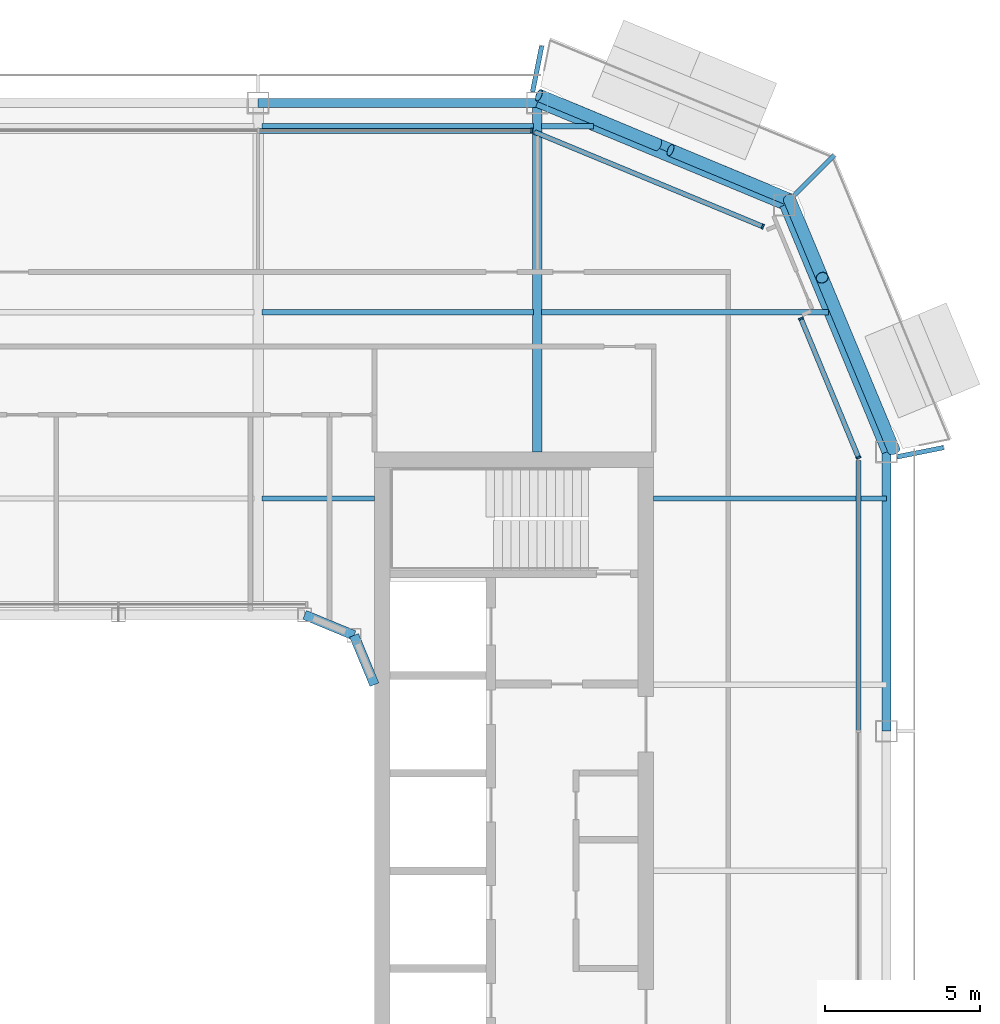
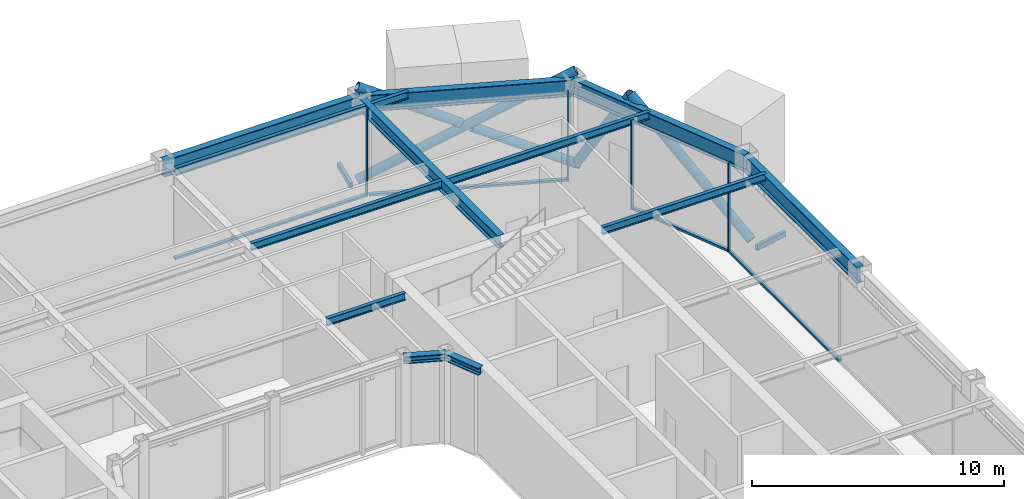
# One storey, part 9 of 21: 16 beams, 13 members, 4 elements without a shape of their own.
"""IFC4 building model written with IfcOpenShell, lengths in metres."""

import ifcopenshell
import ifcopenshell.guid

model = None  # the IFC model being written
_history = None  # IfcOwnerHistory: only IFC2X3 demands one
_inside = {}  # id of a spatial element -> (the spatial element, [elements in it])
_under = {}  # id of a project, library or spatial element -> (it, [spatial elements below it])
_declared = {}  # id of a project -> (the project, [libraries it declares])
_typed = {}  # id of a type object -> (the type object, [elements of that type])
_made_of = {}  # id of a material, layer set ... -> (it, [elements and type objects made of it])


def new_model(schema):
    """Start an empty IFC model of exactly this schema.

    Asked for "IFC4X3", IfcOpenShell would pick the latest addendum, in which some entities
    have other attributes; the version numbers below select the first issue.
    IFC2X3 requires an IfcOwnerHistory on every rooted entity: one is made here for all.
    """
    global model, _history
    if schema == "IFC4X3":
        model = ifcopenshell.file(schema_version=(4, 3, 0, 0))
    else:
        model = ifcopenshell.file(schema=schema)
    _inside.clear()
    _under.clear()
    _declared.clear()
    _typed.clear()
    _made_of.clear()
    _history = None
    if model.schema == "IFC2X3":
        org = make("IfcOrganization", Name="unknown")
        user = make(
            "IfcPersonAndOrganization",
            ThePerson=make("IfcPerson", FamilyName="unknown"),
            TheOrganization=org,
        )
        app = make(
            "IfcApplication",
            ApplicationDeveloper=org,
            Version="unknown",
            ApplicationFullName="unknown",
            ApplicationIdentifier="unknown",
        )
        _history = make(
            "IfcOwnerHistory",
            OwningUser=user,
            OwningApplication=app,
            ChangeAction="ADDED",
            CreationDate=0,
        )
    return model


def make(cls, **values):
    """One entity of the class cls with the attributes given. An attribute that is None is left unset."""
    return model.create_entity(
        cls, **{name: value for name, value in values.items() if value is not None}
    )


def rooted(cls, **values):
    """An entity with a GlobalId (a new one), such as an element, a storey or a relation."""
    return make(cls, GlobalId=ifcopenshell.guid.new(), OwnerHistory=_history, **values)


def si_unit(unit_type, name, prefix=None):
    """IfcSIUnit, for example si_unit("LENGTHUNIT", "METRE", prefix="MILLI")."""
    return make("IfcSIUnit", UnitType=unit_type, Prefix=prefix, Name=name)


def assignment(units):
    """IfcUnitAssignment: the units of a project."""
    return None if units is None else make("IfcUnitAssignment", Units=units)


def point(xyz):
    """IfcCartesianPoint."""
    return None if xyz is None else make("IfcCartesianPoint", Coordinates=xyz)


def direction(xyz):
    """IfcDirection."""
    return None if xyz is None else make("IfcDirection", DirectionRatios=xyz)


def frame(location, z_axis=None, x_axis=None):
    """IfcAxis2Placement3D, a coordinate frame: its origin and axes. An axis left out is left unset."""
    return make(
        "IfcAxis2Placement3D",
        Location=point(location),
        Axis=direction(z_axis),
        RefDirection=direction(x_axis),
    )


def frame_2d(location, x_axis=None):
    """IfcAxis2Placement2D, a coordinate frame in the plane: its origin and x axis."""
    return make(
        "IfcAxis2Placement2D", Location=point(location), RefDirection=direction(x_axis)
    )


def origin():
    """The frame at (0, 0, 0) with its axes left unset."""
    return frame((0.0, 0.0, 0.0))


def origin_2d():
    """The frame at (0, 0) in the plane with its x axis left unset."""
    return frame_2d((0.0, 0.0))


def place(relative_to, where):
    """IfcLocalPlacement: puts the frame where relative to a parent placement (None: the world)."""
    return make(
        "IfcLocalPlacement", PlacementRelTo=relative_to, RelativePlacement=where
    )


def context(
    kind, dimensions, precision=None, world=None, true_north=None, identifier=None
):
    """IfcGeometricRepresentationContext, for example the 3D "Model" context."""
    return make(
        "IfcGeometricRepresentationContext",
        ContextIdentifier=identifier,
        ContextType=kind,
        CoordinateSpaceDimension=dimensions,
        Precision=precision,
        WorldCoordinateSystem=world,
        TrueNorth=true_north,
    )


def subcontext(parent, identifier, kind, view, scale=None):
    """IfcGeometricRepresentationSubContext, for example "Body" below "Model"."""
    return make(
        "IfcGeometricRepresentationSubContext",
        ContextIdentifier=identifier,
        ContextType=kind,
        ParentContext=parent,
        TargetScale=scale,
        TargetView=view,
    )


def project(units=None, contexts=None):
    """IfcProject with its units and contexts."""
    return rooted(
        "IfcProject",
        Name="project",
        RepresentationContexts=contexts,
        UnitsInContext=assignment(units),
    )


def spatial(cls, under=None, at=None, **own):
    """A site, building, storey or space (cls), placed at a placement, below another one or the project."""
    s = rooted(cls, ObjectPlacement=at, **own)
    if under is not None:
        _under.setdefault(under.id(), (under, []))[1].append(s)
    return s


def profile(cls, at=None, kind="AREA", **sizes):
    """A parametric profile (cls). Its sizes go by their IFC names, for example OverallWidth=200.0."""
    return make(cls, ProfileType=kind, Position=at, **sizes)


def rectangle(**sizes):
    """IfcRectangleProfileDef."""
    return profile("IfcRectangleProfileDef", **sizes)


def hollow_rectangle(**sizes):
    """IfcRectangleHollowProfileDef."""
    return profile("IfcRectangleHollowProfileDef", **sizes)


def hollow_circle(**sizes):
    """IfcCircleHollowProfileDef."""
    return profile("IfcCircleHollowProfileDef", **sizes)


def i_section(**sizes):
    """IfcIShapeProfileDef."""
    return profile("IfcIShapeProfileDef", **sizes)


def extrude(swept, where, along, depth):
    """IfcExtrudedAreaSolid: the profile swept, set in the frame where, extruded along a direction by depth."""
    return make(
        "IfcExtrudedAreaSolid",
        SweptArea=swept,
        Position=where,
        ExtrudedDirection=direction(along),
        Depth=depth,
    )


def shape(context_of_items, identifier, shape_type, items):
    """IfcShapeRepresentation: the items that make up one representation, for example the "Body"."""
    return make(
        "IfcShapeRepresentation",
        ContextOfItems=context_of_items,
        RepresentationIdentifier=identifier,
        RepresentationType=shape_type,
        Items=items,
    )


def material(Name=None, Category=None):
    """IfcMaterial."""
    return make("IfcMaterial", Name=Name, Category=Category)


def layer(
    of_material, thickness, ventilated=None, Name=None, Category=None, Priority=None
):
    """IfcMaterialLayer: one layer of a wall or slab, of a material (None: an air gap)."""
    return make(
        "IfcMaterialLayer",
        Material=of_material,
        LayerThickness=thickness,
        IsVentilated=ventilated,
        Name=Name,
        Category=Category,
        Priority=Priority,
    )


def layer_set(layers, Name=None):
    """IfcMaterialLayerSet."""
    return make("IfcMaterialLayerSet", MaterialLayers=layers, LayerSetName=Name)


def material_profile(
    of_material, cross_section, Name=None, Category=None, Priority=None
):
    """IfcMaterialProfile: a cross section and its material."""
    return make(
        "IfcMaterialProfile",
        Name=Name,
        Material=of_material,
        Profile=cross_section,
        Priority=Priority,
        Category=Category,
    )


def profile_set(profiles, Name=None, composite=None):
    """IfcMaterialProfileSet."""
    return make(
        "IfcMaterialProfileSet",
        Name=Name,
        MaterialProfiles=profiles,
        CompositeProfile=composite,
    )


def made_of(thing, what):
    """Note that an element or type object is made of a material, layer set ...; save() writes the relation."""
    if what is not None:
        _made_of.setdefault(what.id(), (what, []))[1].append(thing)
    return thing


def type_object(cls, material=None, **own):
    """A type object (cls), such as IfcWallType, which elements share."""
    return made_of(rooted(cls, **own), material)


def element(
    cls,
    number,
    at=None,
    inside=None,
    cuts=None,
    type_object=None,
    material=None,
    context=None,
    identifier="Body",
    shape_type=None,
    held_by="IfcProductDefinitionShape",
    body=None,
    shapes=None,
    **own,
):
    """One element of the class cls, such as IfcWall. Its Tag is "e" and its number.

    at: its placement. inside: the storey or other place that contains it. cuts: it is an
    opening in that element (IfcRelVoidsElement). A single representation is given by context,
    identifier, shape_type and body (its items); several are given by shapes. held_by: the class
    of the entity that holds the representations. save() writes the other relations.
    """
    e = rooted(cls, Tag="e%d" % number, ObjectPlacement=at, **own)
    if body is not None:
        shapes = [shape(context, identifier, shape_type, body)]
    if shapes is not None:
        e.Representation = make(held_by, Representations=shapes)
    if inside is not None:
        _inside.setdefault(inside.id(), (inside, []))[1].append(e)
    if cuts is not None:
        rooted(
            "IfcRelVoidsElement", RelatingBuildingElement=cuts, RelatedOpeningElement=e
        )
    if type_object is not None:
        _typed.setdefault(type_object.id(), (type_object, []))[1].append(e)
    return made_of(e, material)


def aggregate(whole, parts):
    """IfcRelAggregates: a whole, such as a stair, and the parts it consists of."""
    return rooted("IfcRelAggregates", RelatingObject=whole, RelatedObjects=parts)


def save(model, path):
    """Write the relations noted so far, then the file.

    IfcRelAggregates (storeys below a building ...), IfcRelContainedInSpatialStructure (elements
    in a storey), IfcRelDefinesByType, IfcRelAssociatesMaterial and IfcRelDeclares: one each for
    every whole, place, type object, material and project.
    """
    for whole, parts in _under.values():
        aggregate(whole, parts)
    for where, things in _inside.values():
        rooted(
            "IfcRelContainedInSpatialStructure",
            RelatedElements=things,
            RelatingStructure=where,
        )
    for kind, things in _typed.values():
        rooted("IfcRelDefinesByType", RelatedObjects=things, RelatingType=kind)
    for what, things in _made_of.values():
        rooted("IfcRelAssociatesMaterial", RelatedObjects=things, RelatingMaterial=what)
    for by, libraries in _declared.values():
        rooted("IfcRelDeclares", RelatingContext=by, RelatedDefinitions=libraries)
    model.write(path)


model = new_model("IFC4")

# Units and contexts
model_context = context("Model", 3, precision=1e-05, world=origin(), true_north=direction((0.0, 1.0)))
body_context = subcontext(model_context, "Body", "Model", "MODEL_VIEW")
ifc_project = project(units=[si_unit("LENGTHUNIT", "METRE"), si_unit("AREAUNIT", "SQUARE_METRE"), si_unit("VOLUMEUNIT", "CUBIC_METRE"), si_unit("PLANEANGLEUNIT", "RADIAN"), si_unit("MASSUNIT", "GRAM", prefix="KILO")], contexts=[model_context])

# Site, building, storey
site_placement = place(None, origin())
site = spatial("IfcSite", under=ifc_project, at=site_placement, CompositionType="ELEMENT")
building_placement = place(site_placement, origin())
building = spatial("IfcBuilding", under=site, at=building_placement, Name="Siwar Civic Tower", CompositionType="ELEMENT")
storey_placement = place(building_placement, frame((0.0, 0.0, 343.699951171875)))
storey = spatial("IfcBuildingStorey", under=building, at=storey_placement, Name="L74", CompositionType="ELEMENT", Elevation=343.699951171875)

# Beams
ifc_material_1 = material(Name="Steel S355", Category="steel")
ifc_material_profile_1 = material_profile(ifc_material_1, hollow_rectangle(XDim=0.14990234375, YDim=0.25, WallThickness=0.010009765625, at=origin_2d()), Name="RHS250x150x10")
ifc_profile_set_1 = profile_set([ifc_material_profile_1], Name="Steel S355")
beam_type_1 = type_object("IfcBeamType", Name="ENV-BALCONY ARM", PredefinedType="BEAM", material=ifc_profile_set_1)
beam_1_placement = place(storey_placement, frame((25.10009765625, 13.34521484375, -0.27490234375), z_axis=(0.980778646446, 0.195123670207, 0.0), x_axis=(-0.195123670207, 0.980778646446, 0.0)))
element("IfcBeam", 1, at=beam_1_placement, inside=storey, type_object=beam_type_1, Name="Balcony cantilever beam NE 1", PredefinedType="BEAM", context=body_context, shape_type="SweptSolid", body=[
    extrude(hollow_rectangle(XDim=0.14990234375, YDim=0.25, WallThickness=0.010009765625, at=origin_2d()), origin(), (0.0, 0.0, 1.0), 1.513916015625),
])
beam_2_placement = place(storey_placement, frame((21.76953125, 21.76953125, -0.27490234375), z_axis=(0.707106781187, 0.707106781187, 0.0), x_axis=(-0.707106781187, 0.707106781187, 0.0)))
element("IfcBeam", 2, at=beam_2_placement, inside=storey, type_object=beam_type_1, Name="Balcony cantilever beam NE 2", PredefinedType="BEAM", context=body_context, shape_type="SweptSolid", body=[
    extrude(hollow_rectangle(XDim=0.14990234375, YDim=0.25, WallThickness=0.010009765625, at=origin_2d()), origin(), (0.0, 0.0, 1.0), 1.828125),
])
beam_3_placement = place(storey_placement, frame((13.34521484375, 25.10009765625, -0.27490234375), z_axis=(0.195123670207, 0.980778646446, 0.0), x_axis=(-0.980778646446, 0.195123670207, 0.0)))
element("IfcBeam", 3, at=beam_3_placement, inside=storey, type_object=beam_type_1, Name="Balcony cantilever beam NE 3", PredefinedType="BEAM", context=body_context, shape_type="SweptSolid", body=[
    extrude(hollow_rectangle(XDim=0.14990234375, YDim=0.25, WallThickness=0.010009765625, at=origin_2d()), origin(), (0.0, 0.0, 1.0), 1.513916015625),
])

# Curtain wall, members
ifc_material_2 = material(Name="Aluminium clad insulated panel", Category="aluminium")
ifc_layer_1 = layer(ifc_material_2, 0.159912109375)
ifc_layer_set_1 = layer_set([ifc_layer_1], Name="Aluminium clad insulated panel")
curtain_wall_type_1 = type_object("IfcCurtainWallType", Name="ENV-CW-DX", PredefinedType="NOTDEFINED", material=ifc_layer_set_1)
curtain_wall_1_placement = place(storey_placement, origin())
curtain_wall_1 = element("IfcCurtainWall", 4, at=curtain_wall_1_placement, inside=storey, type_object=curtain_wall_type_1, Name="Curtain wall D NE1", PredefinedType="NOTDEFINED")
ifc_material_3 = material(Name="Aluminium 6063-T6", Category="aluminium")
ifc_material_profile_2 = material_profile(ifc_material_3, rectangle(XDim=0.159912109375, YDim=0.06005859375, at=origin_2d()), Name="AL 160x60")
ifc_profile_set_2 = profile_set([ifc_material_profile_2], Name="Aluminium 6063-T6")
member_type_1 = type_object("IfcMemberType", Name="ENV-MULLION-D", PredefinedType="MULLION", material=ifc_profile_set_2)
member_1_placement = place(storey_placement, frame((23.85009765625, 13.321044921875, 0.0), z_axis=(0.0, 0.0, 1.0), x_axis=(-0.923879532511, -0.382683432365, 0.0)))
member_1 = element("IfcMember", 5, at=member_1_placement, type_object=member_type_1, Name="Mullion D NE1 1", PredefinedType="MULLION", context=body_context, shape_type="SweptSolid", body=[
    extrude(rectangle(XDim=0.159912109375, YDim=0.06005859375, at=origin_2d()), origin(), (0.0, 0.0, 1.0), 4.300048828125),
])
member_2_placement = place(storey_placement, frame((21.9951171875, 17.799072265625, 0.0), z_axis=(0.0, 0.0, 1.0), x_axis=(-0.923879532511, -0.382683432365, 0.0)))
member_2 = element("IfcMember", 6, at=member_2_placement, type_object=member_type_1, Name="Mullion D NE1 2", PredefinedType="MULLION", context=body_context, shape_type="SweptSolid", body=[
    extrude(rectangle(XDim=0.159912109375, YDim=0.06005859375, at=origin_2d()), origin(), (0.0, 0.0, 1.0), 4.300048828125),
])

# Curtain wall, member
curtain_wall_2_placement = place(storey_placement, origin())
curtain_wall_2 = element("IfcCurtainWall", 7, at=curtain_wall_2_placement, inside=storey, type_object=curtain_wall_type_1, Name="Curtain wall D NE2", PredefinedType="NOTDEFINED")
member_3_placement = place(storey_placement, frame((20.76611328125, 20.76611328125, 0.0), z_axis=(0.0, 0.0, 1.0), x_axis=(-0.382683432365, -0.923879532511, 0.0)))
member_3 = element("IfcMember", 8, at=member_3_placement, type_object=member_type_1, Name="Mullion D NE2 1", PredefinedType="MULLION", context=body_context, shape_type="SweptSolid", body=[
    extrude(rectangle(XDim=0.159912109375, YDim=0.06005859375, at=origin_2d()), origin(), (0.0, 0.0, 1.0), 4.300048828125),
])

ifc_material_4 = material(Name="Aluminium and glass", Category="aluminium")
ifc_layer_2 = layer(ifc_material_4, 0.159912109375)
ifc_layer_set_2 = layer_set([ifc_layer_2], Name="Aluminium and glass")
curtain_wall_type_2 = type_object("IfcCurtainWallType", Name="ENV-CW-D", PredefinedType="NOTDEFINED", material=ifc_layer_set_2)
curtain_wall_3_placement = place(storey_placement, origin())
curtain_wall_3 = element("IfcCurtainWall", 9, at=curtain_wall_3_placement, inside=storey, type_object=curtain_wall_type_2, Name="Curtain wall D N", PredefinedType="NOTDEFINED")
member_4_placement = place(storey_placement, frame((13.321044921875, 23.85009765625, 0.0), z_axis=(0.0, 0.0, 1.0), x_axis=(0.0, -1.0, 0.0)))
member_4 = element("IfcMember", 10, at=member_4_placement, type_object=member_type_1, Name="Mullion D N 1", PredefinedType="MULLION", context=body_context, shape_type="SweptSolid", body=[
    extrude(rectangle(XDim=0.159912109375, YDim=0.06005859375, at=origin_2d()), origin(), (0.0, 0.0, 1.0), 4.300048828125),
])

curtain_wall_4_placement = place(storey_placement, origin())
curtain_wall_4 = element("IfcCurtainWall", 11, at=curtain_wall_4_placement, inside=storey, type_object=curtain_wall_type_2, Name="Curtain wall D E", PredefinedType="NOTDEFINED")
ifc_material_5 = material(Name="Aluminium 6063-T6", Category="aluminium")
ifc_material_profile_3 = material_profile(ifc_material_5, rectangle(XDim=0.159912109375, YDim=0.10009765625, at=origin_2d()), Name="AL 160x100")
ifc_profile_set_3 = profile_set([ifc_material_profile_3], Name="Aluminium 6063-T6")
member_type_2 = type_object("IfcMemberType", Name="ENV-TRANSOM-D", PredefinedType="USERDEFINED", material=ifc_profile_set_3)
member_5_placement = place(storey_placement, frame((23.85009765625, 4.530029296875, 0.050048828125), z_axis=(0.0, 1.0, 0.0), x_axis=(-1.0, 0.0, 0.0)))
member_5 = element("IfcMember", 12, at=member_5_placement, type_object=member_type_2, Name="Transom D E 3", ObjectType="TRANSOM", PredefinedType="USERDEFINED", context=body_context, shape_type="SweptSolid", body=[
    extrude(rectangle(XDim=0.159912109375, YDim=0.10009765625, at=origin_2d()), origin(), (0.0, 0.0, 1.0), 8.693115234375),
])
aggregate(curtain_wall_4, [member_5])

# Member
member_6_placement = place(storey_placement, frame((23.838623046875, 13.3486328125, 0.050048828125), z_axis=(-0.382688094537, 0.923877601363, 0.0), x_axis=(-0.923877601363, -0.382688094537, 0.0)))
member_6 = element("IfcMember", 13, at=member_6_placement, type_object=member_type_2, Name="Transom D NE1 1", ObjectType="TRANSOM", PredefinedType="USERDEFINED", context=body_context, shape_type="SweptSolid", body=[
    extrude(rectangle(XDim=0.159912109375, YDim=0.10009765625, at=origin_2d()), origin(), (0.0, 0.0, 1.0), 4.787353515625),
])

aggregate(curtain_wall_1, [member_1, member_2, member_6])

member_7_placement = place(storey_placement, frame((20.738525390625, 20.777587890625, 0.050048828125), z_axis=(-0.923883640343, 0.382673515031, 0.0), x_axis=(-0.382673515031, -0.923883640343, 0.0)))
member_7 = element("IfcMember", 14, at=member_7_placement, type_object=member_type_2, Name="Transom D NE2 1", ObjectType="TRANSOM", PredefinedType="USERDEFINED", context=body_context, shape_type="SweptSolid", body=[
    extrude(rectangle(XDim=0.159912109375, YDim=0.10009765625, at=origin_2d()), origin(), (0.0, 0.0, 1.0), 7.930908203125),
])

aggregate(curtain_wall_2, [member_3, member_7])

member_8_placement = place(storey_placement, frame((13.291015625, 23.85009765625, 0.050048828125), z_axis=(-1.0, 0.0, 0.0), x_axis=(0.0, -1.0, 0.0)))
member_8 = element("IfcMember", 15, at=member_8_placement, type_object=member_type_2, Name="Transom D N 1", ObjectType="TRANSOM", PredefinedType="USERDEFINED", context=body_context, shape_type="SweptSolid", body=[
    extrude(rectangle(XDim=0.159912109375, YDim=0.10009765625, at=origin_2d()), origin(), (0.0, 0.0, 1.0), 8.760986328125),
])

aggregate(curtain_wall_3, [member_4, member_8])

# Members
ifc_material_6 = material(Name="Steel S355", Category="steel")
ifc_material_profile_4 = material_profile(ifc_material_6, hollow_circle(Radius=0.203125, WallThickness=0.01611328125, at=origin_2d()), Name="CHS406.4x16")
ifc_profile_set_4 = profile_set([ifc_material_profile_4], Name="Steel S355")
member_type_3 = type_object("IfcMemberType", Name="STR-BR-CHS406.4x16", PredefinedType="BRACE", material=ifc_profile_set_4)
member_9_placement = place(storey_placement, frame((13.548828125, 24.9951171875, 0.0), z_axis=(0.821142553604, -0.341671493852, 0.457149315816), x_axis=(0.384163874976, 0.923264922524, 0.0)))
element("IfcMember", 16, at=member_9_placement, inside=storey, type_object=member_type_3, Name="L74/brc/DNE1-13-0-1", PredefinedType="BRACE", context=body_context, shape_type="SweptSolid", body=[
    extrude(hollow_circle(Radius=0.203125, WallThickness=0.01611328125, at=origin_2d()), origin(), (0.0, 0.0, 1.0), 9.843505859375),
])
member_10_placement = place(storey_placement, frame((21.6318359375, 21.6318359375, 0.0), z_axis=(-0.821147096886, 0.341644380467, 0.457161418507), x_axis=(-0.38413607648, -0.923276488787, 0.0)))
element("IfcMember", 17, at=member_10_placement, inside=storey, type_object=member_type_3, Name="L74/brc/DNE1-13-0-2", PredefinedType="BRACE", context=body_context, shape_type="SweptSolid", body=[
    extrude(hollow_circle(Radius=0.203125, WallThickness=0.01611328125, at=origin_2d()), origin(), (0.0, 0.0, 1.0), 4.677001953125),
])
member_11_placement = place(storey_placement, frame((17.38916015625, 23.397216796875, 2.362060546875), z_axis=(-0.821149689876, 0.341667178655, 0.457139722456), x_axis=(-0.384156893273, -0.923267827529, 0.0)))
element("IfcMember", 18, at=member_11_placement, inside=storey, type_object=member_type_3, Name="L74/brc/DNE1-13-0-3", PredefinedType="BRACE", context=body_context, shape_type="SweptSolid", body=[
    extrude(hollow_circle(Radius=0.203125, WallThickness=0.01611328125, at=origin_2d()), origin(), (0.0, 0.0, 1.0), 4.6767578125),
])
member_12_placement = place(storey_placement, frame((24.9951171875, 13.548828125, 0.0), z_axis=(-0.307903068035, 0.739973158344, 0.598026275029), x_axis=(-0.923262455747, -0.384169803352, 0.0)))
element("IfcMember", 19, at=member_12_placement, inside=storey, type_object=member_type_3, Name="L74/brc/DNE1-13-0-0", PredefinedType="BRACE", context=body_context, shape_type="SweptSolid", body=[
    extrude(hollow_circle(Radius=0.203125, WallThickness=0.01611328125, at=origin_2d()), origin(), (0.0, 0.0, 1.0), 7.524658203125),
])
member_13_placement = place(storey_placement, frame((21.6318359375, 21.6318359375, 0.0), z_axis=(0.198925611165, -0.478099094869, 0.855482236349), x_axis=(0.92327038402, 0.384150749045, 0.0)))
element("IfcMember", 20, at=member_13_placement, inside=storey, type_object=member_type_3, Name="L74/brc/DNE1-13-0-6", PredefinedType="BRACE", context=body_context, shape_type="SweptSolid", body=[
    extrude(hollow_circle(Radius=0.203125, WallThickness=0.01611328125, at=origin_2d()), origin(), (0.0, 0.0, 1.0), 5.26025390625),
])

# Beams
ifc_material_7 = material(Name="Steel S355", Category="steel")
ifc_material_profile_5 = material_profile(ifc_material_7, i_section(OverallWidth=0.169921875, OverallDepth=0.360107421875, WebThickness=0.008056640625, FlangeThickness=0.0126953125, FilletRadius=0.01806640625, at=origin_2d()), Name="IPE360")
ifc_profile_set_5 = profile_set([ifc_material_profile_5], Name="Steel S355")
beam_type_2 = type_object("IfcBeamType", Name="STR-FB-IPE360", PredefinedType="JOIST", material=ifc_profile_set_5)
beam_4_placement = place(storey_placement, frame((4.6298828125, 12.0, 4.1201171875), z_axis=(1.0, 0.0, 0.0), x_axis=(0.0, 1.0, 0.0)))
element("IfcBeam", 21, at=beam_4_placement, inside=storey, type_object=beam_type_2, Name="L74/bm/F025", PredefinedType="JOIST", context=body_context, shape_type="SweptSolid", body=[
    extrude(i_section(OverallWidth=0.169921875, OverallDepth=0.360107421875, WebThickness=0.008056640625, FlangeThickness=0.0126953125, FilletRadius=0.01806640625, at=origin_2d()), origin(), (0.0, 0.0, 1.0), 3.6201171875),
])
beam_5_placement = place(storey_placement, frame((17.25, 12.0, 4.1201171875), z_axis=(1.0, 0.0, 0.0), x_axis=(0.0, 1.0, 0.0)))
element("IfcBeam", 22, at=beam_5_placement, inside=storey, type_object=beam_type_2, Name="L74/bm/F026", PredefinedType="JOIST", context=body_context, shape_type="SweptSolid", body=[
    extrude(i_section(OverallWidth=0.169921875, OverallDepth=0.360107421875, WebThickness=0.008056640625, FlangeThickness=0.0126953125, FilletRadius=0.01806640625, at=origin_2d()), origin(), (0.0, 0.0, 1.0), 7.5),
])
beam_6_placement = place(storey_placement, frame((4.6298828125, 18.0, 4.1201171875), z_axis=(1.0, 0.0, 0.0), x_axis=(0.0, 1.0, 0.0)))
element("IfcBeam", 23, at=beam_6_placement, inside=storey, type_object=beam_type_2, Name="L74/bm/F030", PredefinedType="JOIST", context=body_context, shape_type="SweptSolid", body=[
    extrude(i_section(OverallWidth=0.169921875, OverallDepth=0.360107421875, WebThickness=0.008056640625, FlangeThickness=0.0126953125, FilletRadius=0.01806640625, at=origin_2d()), origin(), (0.0, 0.0, 1.0), 8.740234375),
])
beam_7_placement = place(storey_placement, frame((13.6298828125, 18.0, 4.1201171875), z_axis=(1.0, 0.0, 0.0), x_axis=(0.0, 1.0, 0.0)))
element("IfcBeam", 24, at=beam_7_placement, inside=storey, type_object=beam_type_2, Name="L74/bm/F031", PredefinedType="JOIST", context=body_context, shape_type="SweptSolid", body=[
    extrude(i_section(OverallWidth=0.169921875, OverallDepth=0.360107421875, WebThickness=0.008056640625, FlangeThickness=0.0126953125, FilletRadius=0.01806640625, at=origin_2d()), origin(), (0.0, 0.0, 1.0), 9.256103515625),
])
beam_8_placement = place(storey_placement, frame((4.6298828125, 24.0, 4.1201171875), z_axis=(1.0, 0.0, 0.0), x_axis=(0.0, 1.0, 0.0)))
element("IfcBeam", 25, at=beam_8_placement, inside=storey, type_object=beam_type_2, Name="L74/bm/F035", PredefinedType="JOIST", context=body_context, shape_type="SweptSolid", body=[
    extrude(i_section(OverallWidth=0.169921875, OverallDepth=0.360107421875, WebThickness=0.008056640625, FlangeThickness=0.0126953125, FilletRadius=0.01806640625, at=origin_2d()), origin(), (0.0, 0.0, 1.0), 8.740234375),
])
beam_9_placement = place(storey_placement, frame((13.6298828125, 24.0, 4.1201171875), z_axis=(1.0, 0.0, 0.0), x_axis=(0.0, 1.0, 0.0)))
element("IfcBeam", 26, at=beam_9_placement, inside=storey, type_object=beam_type_2, Name="L74/bm/F036", PredefinedType="JOIST", context=body_context, shape_type="SweptSolid", body=[
    extrude(i_section(OverallWidth=0.169921875, OverallDepth=0.360107421875, WebThickness=0.008056640625, FlangeThickness=0.0126953125, FilletRadius=0.01806640625, at=origin_2d()), origin(), (0.0, 0.0, 1.0), 1.6806640625),
])
ifc_material_8 = material(Name="Steel S355", Category="steel")
ifc_material_profile_6 = material_profile(ifc_material_8, i_section(OverallWidth=0.300048828125, OverallDepth=0.60009765625, WebThickness=0.015380859375, FlangeThickness=0.030029296875, FilletRadius=0.027099609375, at=origin_2d()), Name="HEB600")
ifc_profile_set_6 = profile_set([ifc_material_profile_6], Name="Steel S355")
beam_type_3 = type_object("IfcBeamType", Name="STR-PG-HEB600", PredefinedType="BEAM", material=ifc_profile_set_6)
beam_10_placement = place(storey_placement, frame((13.5, 13.5, 4.0), z_axis=(0.0, 1.0, 0.0), x_axis=(-1.0, 0.0, 0.0)))
element("IfcBeam", 27, at=beam_10_placement, inside=storey, type_object=beam_type_3, Name="L74/bm/G08", PredefinedType="BEAM", context=body_context, shape_type="SweptSolid", body=[
    extrude(i_section(OverallWidth=0.300048828125, OverallDepth=0.60009765625, WebThickness=0.015380859375, FlangeThickness=0.030029296875, FilletRadius=0.027099609375, at=origin_2d()), origin(), (0.0, 0.0, 1.0), 11.25),
])
ifc_material_9 = material(Name="Steel S355", Category="steel")
ifc_material_profile_7 = material_profile(ifc_material_9, i_section(OverallWidth=0.31005859375, OverallDepth=0.340087890625, WebThickness=0.02099609375, FlangeThickness=0.0390625, FilletRadius=0.027099609375, at=origin_2d()), Name="HEM300")
ifc_profile_set_7 = profile_set([ifc_material_profile_7], Name="Steel S355")
beam_type_4 = type_object("IfcBeamType", Name="STR-RB-HEM300", PredefinedType="BEAM", material=ifc_profile_set_7)
for number, where, z_axis, x_axis, name in (
    (28, (6.0, 8.25, 4.130126953125), (0.923901072997, -0.382631424892, 0.0), (0.382631424892, 0.923901072997, 0.0), "L74/bm/RN3"),
    (29, (7.591064453125, 7.591064453125, 4.130126953125), (0.382631424892, -0.923901072997, 0.0), (0.923901072997, 0.382631424892, 0.0), "L74/bm/RNEE"),
):
    element("IfcBeam", number, at=place(storey_placement, frame(where, z_axis=z_axis, x_axis=x_axis)), inside=storey, type_object=beam_type_4, Name=name, PredefinedType="BEAM", context=body_context, shape_type="SweptSolid", body=[
        extrude(i_section(OverallWidth=0.31005859375, OverallDepth=0.340087890625, WebThickness=0.02099609375, FlangeThickness=0.0390625, FilletRadius=0.027099609375, at=origin_2d()), origin(), (0.0, 0.0, 1.0), 1.72216796875),
    ])
ifc_material_10 = material(Name="Steel S355", Category="steel")
ifc_material_profile_8 = material_profile(ifc_material_10, i_section(OverallWidth=0.300048828125, OverallDepth=0.800048828125, WebThickness=0.017578125, FlangeThickness=0.032958984375, FilletRadius=0.030029296875, at=origin_2d()), Name="HEB800")
ifc_profile_set_8 = profile_set([ifc_material_profile_8], Name="Steel S355")
beam_type_5 = type_object("IfcBeamType", Name="STR-SB-HEB800", PredefinedType="BEAM", material=ifc_profile_set_8)
beam_11_placement = place(storey_placement, frame((24.75, 4.5, 3.900146484375), z_axis=(0.0, 1.0, 0.0), x_axis=(-1.0, 0.0, 0.0)))
element("IfcBeam", 30, at=beam_11_placement, inside=storey, type_object=beam_type_5, Name="L74/bm/SE-2", PredefinedType="BEAM", context=body_context, shape_type="SweptSolid", body=[
    extrude(i_section(OverallWidth=0.300048828125, OverallDepth=0.800048828125, WebThickness=0.017578125, FlangeThickness=0.032958984375, FilletRadius=0.030029296875, at=origin_2d()), origin(), (0.0, 0.0, 1.0), 9.0),
])
for number, where, z_axis, x_axis, name in (
    (31, (24.75, 13.5, 3.900146484375), (-0.382699877515, 0.923872720536, 0.0), (-0.923872720536, -0.382699877515, 0.0), "L74/bm/SNE1-0"),
    (32, (21.454833984375, 21.454833984375, 3.900146484375), (-0.923872720536, 0.382699877515, 0.0), (-0.382699877515, -0.923872720536, 0.0), "L74/bm/SNE2-0"),
):
    element("IfcBeam", number, at=place(storey_placement, frame(where, z_axis=z_axis, x_axis=x_axis)), inside=storey, type_object=beam_type_5, Name=name, PredefinedType="BEAM", context=body_context, shape_type="SweptSolid", body=[
        extrude(i_section(OverallWidth=0.300048828125, OverallDepth=0.800048828125, WebThickness=0.017578125, FlangeThickness=0.032958984375, FilletRadius=0.030029296875, at=origin_2d()), origin(), (0.0, 0.0, 1.0), 8.6103515625),
    ])
beam_12_placement = place(storey_placement, frame((13.5, 24.75, 3.900146484375), z_axis=(-1.0, 0.0, 0.0), x_axis=(0.0, -1.0, 0.0)))
element("IfcBeam", 33, at=beam_12_placement, inside=storey, type_object=beam_type_5, Name="L74/bm/SN-0", PredefinedType="BEAM", context=body_context, shape_type="SweptSolid", body=[
    extrude(i_section(OverallWidth=0.300048828125, OverallDepth=0.800048828125, WebThickness=0.017578125, FlangeThickness=0.032958984375, FilletRadius=0.030029296875, at=origin_2d()), origin(), (0.0, 0.0, 1.0), 9.0),
])

save(model, "model.ifc")
